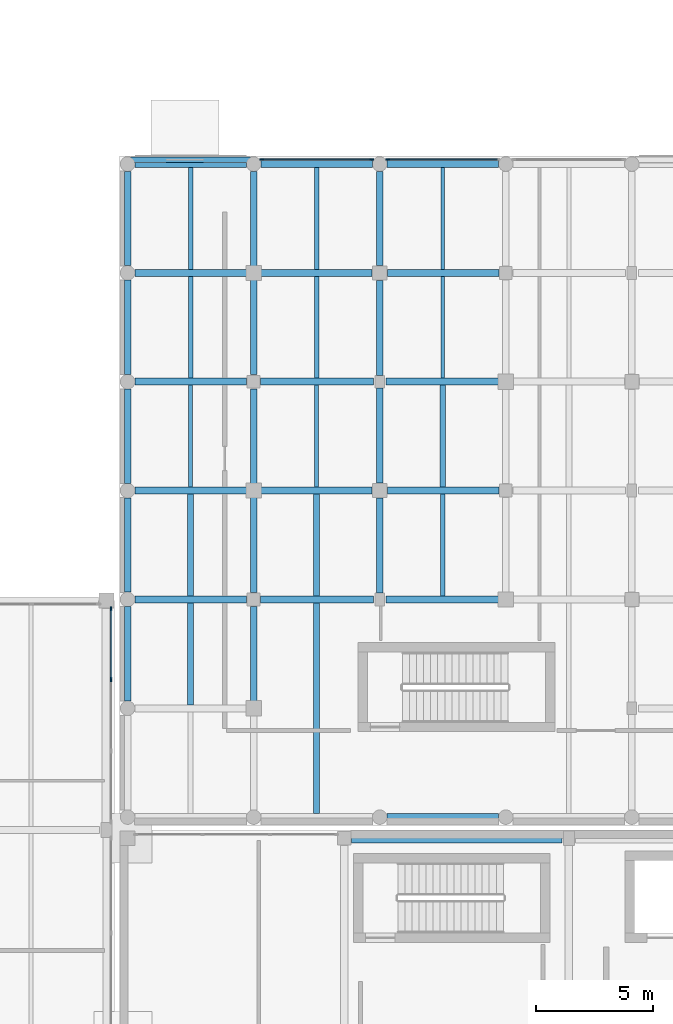
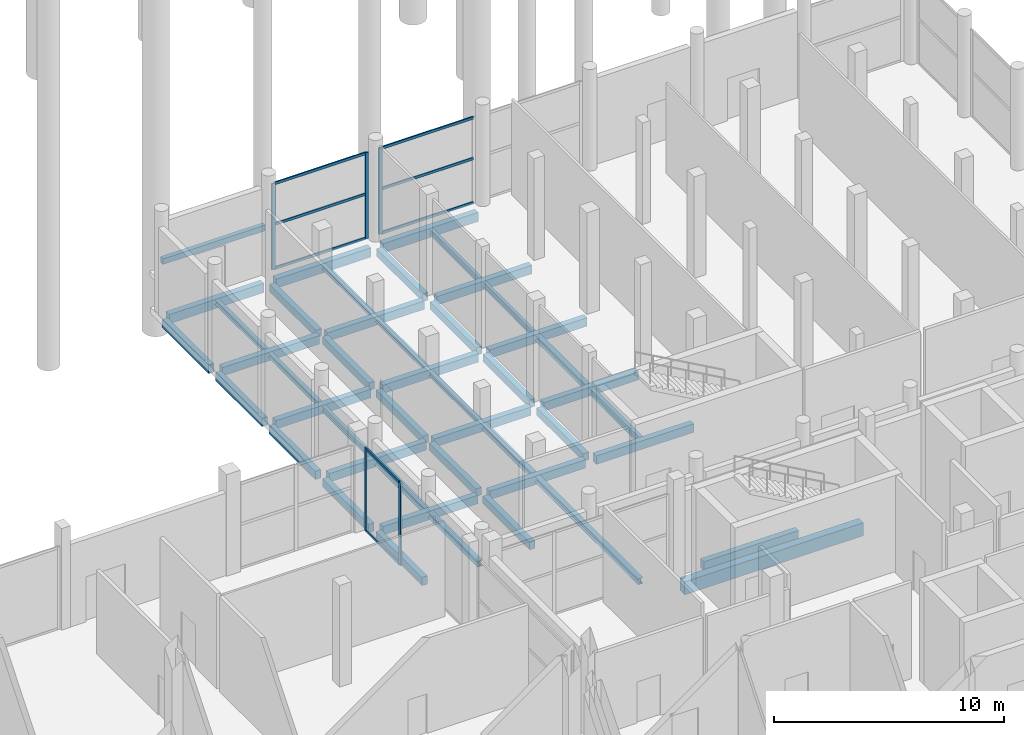
# One storey, part 24 of 88: 46 beams, 13 members, 3 elements without a shape of their own.
"""IFC4 building model written with IfcOpenShell, lengths in metres."""

import ifcopenshell
import ifcopenshell.guid

model = None  # the IFC model being written
_history = None  # IfcOwnerHistory: only IFC2X3 demands one
_inside = {}  # id of a spatial element -> (the spatial element, [elements in it])
_under = {}  # id of a project, library or spatial element -> (it, [spatial elements below it])
_declared = {}  # id of a project -> (the project, [libraries it declares])
_typed = {}  # id of a type object -> (the type object, [elements of that type])
_made_of = {}  # id of a material, layer set ... -> (it, [elements and type objects made of it])


def new_model(schema):
    """Start an empty IFC model of exactly this schema.

    Asked for "IFC4X3", IfcOpenShell would pick the latest addendum, in which some entities
    have other attributes; the version numbers below select the first issue.
    IFC2X3 requires an IfcOwnerHistory on every rooted entity: one is made here for all.
    """
    global model, _history
    if schema == "IFC4X3":
        model = ifcopenshell.file(schema_version=(4, 3, 0, 0))
    else:
        model = ifcopenshell.file(schema=schema)
    _inside.clear()
    _under.clear()
    _declared.clear()
    _typed.clear()
    _made_of.clear()
    _history = None
    if model.schema == "IFC2X3":
        org = make("IfcOrganization", Name="unknown")
        user = make(
            "IfcPersonAndOrganization",
            ThePerson=make("IfcPerson", FamilyName="unknown"),
            TheOrganization=org,
        )
        app = make(
            "IfcApplication",
            ApplicationDeveloper=org,
            Version="unknown",
            ApplicationFullName="unknown",
            ApplicationIdentifier="unknown",
        )
        _history = make(
            "IfcOwnerHistory",
            OwningUser=user,
            OwningApplication=app,
            ChangeAction="ADDED",
            CreationDate=0,
        )
    return model


def make(cls, **values):
    """One entity of the class cls with the attributes given. An attribute that is None is left unset."""
    return model.create_entity(
        cls, **{name: value for name, value in values.items() if value is not None}
    )


def rooted(cls, **values):
    """An entity with a GlobalId (a new one), such as an element, a storey or a relation."""
    return make(cls, GlobalId=ifcopenshell.guid.new(), OwnerHistory=_history, **values)


def si_unit(unit_type, name, prefix=None):
    """IfcSIUnit, for example si_unit("LENGTHUNIT", "METRE", prefix="MILLI")."""
    return make("IfcSIUnit", UnitType=unit_type, Prefix=prefix, Name=name)


def assignment(units):
    """IfcUnitAssignment: the units of a project."""
    return None if units is None else make("IfcUnitAssignment", Units=units)


def point(xyz):
    """IfcCartesianPoint."""
    return None if xyz is None else make("IfcCartesianPoint", Coordinates=xyz)


def direction(xyz):
    """IfcDirection."""
    return None if xyz is None else make("IfcDirection", DirectionRatios=xyz)


def frame(location, z_axis=None, x_axis=None):
    """IfcAxis2Placement3D, a coordinate frame: its origin and axes. An axis left out is left unset."""
    return make(
        "IfcAxis2Placement3D",
        Location=point(location),
        Axis=direction(z_axis),
        RefDirection=direction(x_axis),
    )


def frame_2d(location, x_axis=None):
    """IfcAxis2Placement2D, a coordinate frame in the plane: its origin and x axis."""
    return make(
        "IfcAxis2Placement2D", Location=point(location), RefDirection=direction(x_axis)
    )


def origin():
    """The frame at (0, 0, 0) with its axes left unset."""
    return frame((0.0, 0.0, 0.0))


def origin_2d():
    """The frame at (0, 0) in the plane with its x axis left unset."""
    return frame_2d((0.0, 0.0))


def place(relative_to, where):
    """IfcLocalPlacement: puts the frame where relative to a parent placement (None: the world)."""
    return make(
        "IfcLocalPlacement", PlacementRelTo=relative_to, RelativePlacement=where
    )


def context(
    kind, dimensions, precision=None, world=None, true_north=None, identifier=None
):
    """IfcGeometricRepresentationContext, for example the 3D "Model" context."""
    return make(
        "IfcGeometricRepresentationContext",
        ContextIdentifier=identifier,
        ContextType=kind,
        CoordinateSpaceDimension=dimensions,
        Precision=precision,
        WorldCoordinateSystem=world,
        TrueNorth=true_north,
    )


def subcontext(parent, identifier, kind, view, scale=None):
    """IfcGeometricRepresentationSubContext, for example "Body" below "Model"."""
    return make(
        "IfcGeometricRepresentationSubContext",
        ContextIdentifier=identifier,
        ContextType=kind,
        ParentContext=parent,
        TargetScale=scale,
        TargetView=view,
    )


def project(units=None, contexts=None):
    """IfcProject with its units and contexts."""
    return rooted(
        "IfcProject",
        Name="project",
        RepresentationContexts=contexts,
        UnitsInContext=assignment(units),
    )


def spatial(cls, under=None, at=None, **own):
    """A site, building, storey or space (cls), placed at a placement, below another one or the project."""
    s = rooted(cls, ObjectPlacement=at, **own)
    if under is not None:
        _under.setdefault(under.id(), (under, []))[1].append(s)
    return s


def profile(cls, at=None, kind="AREA", **sizes):
    """A parametric profile (cls). Its sizes go by their IFC names, for example OverallWidth=200.0."""
    return make(cls, ProfileType=kind, Position=at, **sizes)


def rectangle(**sizes):
    """IfcRectangleProfileDef."""
    return profile("IfcRectangleProfileDef", **sizes)


def i_section(**sizes):
    """IfcIShapeProfileDef."""
    return profile("IfcIShapeProfileDef", **sizes)


def extrude(swept, where, along, depth):
    """IfcExtrudedAreaSolid: the profile swept, set in the frame where, extruded along a direction by depth."""
    return make(
        "IfcExtrudedAreaSolid",
        SweptArea=swept,
        Position=where,
        ExtrudedDirection=direction(along),
        Depth=depth,
    )


def shape(context_of_items, identifier, shape_type, items):
    """IfcShapeRepresentation: the items that make up one representation, for example the "Body"."""
    return make(
        "IfcShapeRepresentation",
        ContextOfItems=context_of_items,
        RepresentationIdentifier=identifier,
        RepresentationType=shape_type,
        Items=items,
    )


def material(Name=None, Category=None):
    """IfcMaterial."""
    return make("IfcMaterial", Name=Name, Category=Category)


def layer(
    of_material, thickness, ventilated=None, Name=None, Category=None, Priority=None
):
    """IfcMaterialLayer: one layer of a wall or slab, of a material (None: an air gap)."""
    return make(
        "IfcMaterialLayer",
        Material=of_material,
        LayerThickness=thickness,
        IsVentilated=ventilated,
        Name=Name,
        Category=Category,
        Priority=Priority,
    )


def layer_set(layers, Name=None):
    """IfcMaterialLayerSet."""
    return make("IfcMaterialLayerSet", MaterialLayers=layers, LayerSetName=Name)


def material_profile(
    of_material, cross_section, Name=None, Category=None, Priority=None
):
    """IfcMaterialProfile: a cross section and its material."""
    return make(
        "IfcMaterialProfile",
        Name=Name,
        Material=of_material,
        Profile=cross_section,
        Priority=Priority,
        Category=Category,
    )


def profile_set(profiles, Name=None, composite=None):
    """IfcMaterialProfileSet."""
    return make(
        "IfcMaterialProfileSet",
        Name=Name,
        MaterialProfiles=profiles,
        CompositeProfile=composite,
    )


def made_of(thing, what):
    """Note that an element or type object is made of a material, layer set ...; save() writes the relation."""
    if what is not None:
        _made_of.setdefault(what.id(), (what, []))[1].append(thing)
    return thing


def type_object(cls, material=None, **own):
    """A type object (cls), such as IfcWallType, which elements share."""
    return made_of(rooted(cls, **own), material)


def element(
    cls,
    number,
    at=None,
    inside=None,
    cuts=None,
    type_object=None,
    material=None,
    context=None,
    identifier="Body",
    shape_type=None,
    held_by="IfcProductDefinitionShape",
    body=None,
    shapes=None,
    **own,
):
    """One element of the class cls, such as IfcWall. Its Tag is "e" and its number.

    at: its placement. inside: the storey or other place that contains it. cuts: it is an
    opening in that element (IfcRelVoidsElement). A single representation is given by context,
    identifier, shape_type and body (its items); several are given by shapes. held_by: the class
    of the entity that holds the representations. save() writes the other relations.
    """
    e = rooted(cls, Tag="e%d" % number, ObjectPlacement=at, **own)
    if body is not None:
        shapes = [shape(context, identifier, shape_type, body)]
    if shapes is not None:
        e.Representation = make(held_by, Representations=shapes)
    if inside is not None:
        _inside.setdefault(inside.id(), (inside, []))[1].append(e)
    if cuts is not None:
        rooted(
            "IfcRelVoidsElement", RelatingBuildingElement=cuts, RelatedOpeningElement=e
        )
    if type_object is not None:
        _typed.setdefault(type_object.id(), (type_object, []))[1].append(e)
    return made_of(e, material)


def aggregate(whole, parts):
    """IfcRelAggregates: a whole, such as a stair, and the parts it consists of."""
    return rooted("IfcRelAggregates", RelatingObject=whole, RelatedObjects=parts)


def save(model, path):
    """Write the relations noted so far, then the file.

    IfcRelAggregates (storeys below a building ...), IfcRelContainedInSpatialStructure (elements
    in a storey), IfcRelDefinesByType, IfcRelAssociatesMaterial and IfcRelDeclares: one each for
    every whole, place, type object, material and project.
    """
    for whole, parts in _under.values():
        aggregate(whole, parts)
    for where, things in _inside.values():
        rooted(
            "IfcRelContainedInSpatialStructure",
            RelatedElements=things,
            RelatingStructure=where,
        )
    for kind, things in _typed.values():
        rooted("IfcRelDefinesByType", RelatedObjects=things, RelatingType=kind)
    for what, things in _made_of.values():
        rooted("IfcRelAssociatesMaterial", RelatedObjects=things, RelatingMaterial=what)
    for by, libraries in _declared.values():
        rooted("IfcRelDeclares", RelatingContext=by, RelatedDefinitions=libraries)
    model.write(path)


model = new_model("IFC4")

# Units and contexts
model_context = context("Model", 3, precision=1e-05, world=origin(), true_north=direction((0.0, 1.0)))
body_context = subcontext(model_context, "Body", "Model", "MODEL_VIEW")
ifc_project = project(units=[si_unit("LENGTHUNIT", "METRE"), si_unit("AREAUNIT", "SQUARE_METRE"), si_unit("VOLUMEUNIT", "CUBIC_METRE"), si_unit("PLANEANGLEUNIT", "RADIAN"), si_unit("MASSUNIT", "GRAM", prefix="KILO")], contexts=[model_context])

# Site, building, storey
site_placement = place(None, origin())
site = spatial("IfcSite", under=ifc_project, at=site_placement, CompositionType="ELEMENT")
building_placement = place(site_placement, origin())
building = spatial("IfcBuilding", under=site, at=building_placement, Name="Birchvale Park Specialist Clinic", CompositionType="ELEMENT")
storey_placement = place(building_placement, origin())
storey = spatial("IfcBuildingStorey", under=building, at=storey_placement, Name="L00", CompositionType="ELEMENT", Elevation=0.0)

# Beams
ifc_material_1 = material(Name="Concrete C40/50", Category="concrete")
ifc_material_profile_1 = material_profile(ifc_material_1, rectangle(XDim=0.39990234375, YDim=0.68994140625, at=origin_2d()), Name="RCB-400x690")
ifc_profile_set_1 = profile_set([ifc_material_profile_1], Name="Concrete C40/50")
beam_type_1 = type_object("IfcBeamType", Name="BM-EXT-BG4", PredefinedType="BEAM", material=ifc_profile_set_1)
beam_1_placement = place(storey_placement, frame((61.715087890625, 34.25, -0.625), z_axis=(1.0, 0.0, 0.0), x_axis=(0.0, 1.0, 0.0)))
element("IfcBeam", 1, at=beam_1_placement, inside=storey, type_object=beam_type_1, Name="V4 L00 X girder 8", PredefinedType="BEAM", context=body_context, shape_type="SweptSolid", body=[
    extrude(rectangle(XDim=0.39990234375, YDim=0.68994140625, at=origin_2d()), origin(), (0.0, 0.0, 1.0), 8.994873046875),
])
ifc_material_profile_2 = material_profile(ifc_material_1, rectangle(XDim=0.300048828125, YDim=0.489990234375, at=origin_2d()), Name="RCB-300x490")
ifc_profile_set_2 = profile_set([ifc_material_profile_2], Name="Concrete C40/50")
beam_type_2 = type_object("IfcBeamType", Name="BM-EXT-BG8", PredefinedType="BEAM", material=ifc_profile_set_2)
for number, where, z_axis, x_axis, name in (
    (2, (63.2314453125, 35.14990234375, -0.56494140625), (1.0, 0.0, 0.0), (0.0, 1.0, 0.0), "V1 L00 X girder 3"),
    (3, (52.4599609375, 63.050048828125, -0.56494140625), (1.0, 0.0, 0.0), (0.0, 1.0, 0.0), "V1 L00 X girder 40"),
    (4, (57.845703125, 63.050048828125, -0.56494140625), (1.0, 0.0, 0.0), (0.0, 1.0, 0.0), "V1 L00 X girder 41"),
    (5, (63.2314453125, 63.050048828125, -0.56494140625), (1.0, 0.0, 0.0), (0.0, 1.0, 0.0), "V1 L00 X girder 42"),
):
    element("IfcBeam", number, at=place(storey_placement, frame(where, z_axis=z_axis, x_axis=x_axis)), inside=storey, type_object=beam_type_2, Name=name, PredefinedType="BEAM", context=body_context, shape_type="SweptSolid", body=[
        extrude(rectangle(XDim=0.300048828125, YDim=0.489990234375, at=origin_2d()), origin(), (0.0, 0.0, 1.0), 4.765625),
    ])
ifc_material_profile_3 = material_profile(ifc_material_1, rectangle(XDim=0.280029296875, YDim=0.43994140625, at=origin_2d()), Name="RCB-280x440")
ifc_profile_set_3 = profile_set([ifc_material_profile_3], Name="Concrete C40/50")
beam_type_3 = type_object("IfcBeamType", Name="BM-EXT-BG9", PredefinedType="BEAM", material=ifc_profile_set_3)
beam_2_placement = place(storey_placement, frame((52.14990234375, 40.110107421875, -0.5400390625), z_axis=(0.0, 1.0, 0.0), x_axis=(-1.0, 0.0, 0.0)))
element("IfcBeam", 6, at=beam_2_placement, inside=storey, type_object=beam_type_3, Name="V1 L00 Y girder 48", PredefinedType="BEAM", context=body_context, shape_type="SweptSolid", body=[
    extrude(rectangle(XDim=0.280029296875, YDim=0.43994140625, at=origin_2d()), origin(), (0.0, 0.0, 1.0), 4.02978515625),
])
for number, where, z_axis, x_axis, name in (
    (7, (52.14990234375, 44.760009765625, -0.5400390625), (0.0, 1.0, 0.0), (-1.0, 0.0, 0.0), "V1 L00 Y girder 49"),
    (8, (52.14990234375, 49.409912109375, -0.5400390625), (0.0, 1.0, 0.0), (-1.0, 0.0, 0.0), "V1 L00 Y girder 50"),
    (9, (52.14990234375, 54.06005859375, -0.5400390625), (0.0, 1.0, 0.0), (-1.0, 0.0, 0.0), "V1 L00 Y girder 51"),
    (10, (52.14990234375, 58.7099609375, -0.5400390625), (0.0, 1.0, 0.0), (-1.0, 0.0, 0.0), "V1 L00 Y girder 52"),
):
    element("IfcBeam", number, at=place(storey_placement, frame(where, z_axis=z_axis, x_axis=x_axis)), inside=storey, type_object=beam_type_3, Name=name, PredefinedType="BEAM", context=body_context, shape_type="SweptSolid", body=[
        extrude(rectangle(XDim=0.280029296875, YDim=0.43994140625, at=origin_2d()), origin(), (0.0, 0.0, 1.0), 4.030029296875),
    ])
ifc_material_profile_4 = material_profile(ifc_material_1, rectangle(XDim=0.300048828125, YDim=0.449951171875, at=origin_2d()), Name="RCB-300x450")
ifc_profile_set_4 = profile_set([ifc_material_profile_4], Name="Concrete C40/50")
beam_type_4 = type_object("IfcBeamType", Name="BM-INT-BG8", PredefinedType="BEAM", material=ifc_profile_set_4)
beam_3_placement = place(storey_placement, frame((52.4599609375, 44.449951171875, -0.544921875), z_axis=(1.0, 0.0, 0.0), x_axis=(0.0, 1.0, 0.0)))
element("IfcBeam", 11, at=beam_3_placement, inside=storey, type_object=beam_type_4, Name="V1 L00 X girder 12", PredefinedType="BEAM", context=body_context, shape_type="SweptSolid", body=[
    extrude(rectangle(XDim=0.300048828125, YDim=0.449951171875, at=origin_2d()), origin(), (0.0, 0.0, 1.0), 4.775634765625),
])
beam_4_placement = place(storey_placement, frame((57.835693359375, 44.449951171875, -0.544921875), z_axis=(1.0, 0.0, 0.0), x_axis=(0.0, 1.0, 0.0)))
element("IfcBeam", 12, at=beam_4_placement, inside=storey, type_object=beam_type_4, Name="V1 L00 X girder 13", PredefinedType="BEAM", context=body_context, shape_type="SweptSolid", body=[
    extrude(rectangle(XDim=0.300048828125, YDim=0.449951171875, at=origin_2d()), origin(), (0.0, 0.0, 1.0), 4.810791015625),
])
beam_5_placement = place(storey_placement, frame((63.1962890625, 44.449951171875, -0.544921875), z_axis=(1.0, 0.0, 0.0), x_axis=(0.0, 1.0, 0.0)))
element("IfcBeam", 13, at=beam_5_placement, inside=storey, type_object=beam_type_4, Name="V1 L00 X girder 14", PredefinedType="BEAM", context=body_context, shape_type="SweptSolid", body=[
    extrude(rectangle(XDim=0.300048828125, YDim=0.449951171875, at=origin_2d()), origin(), (0.0, 0.0, 1.0), 4.910888671875),
])
beam_6_placement = place(storey_placement, frame((52.4599609375, 49.10009765625, -0.544921875), z_axis=(1.0, 0.0, 0.0), x_axis=(0.0, 1.0, 0.0)))
element("IfcBeam", 14, at=beam_6_placement, inside=storey, type_object=beam_type_4, Name="V1 L00 X girder 19", PredefinedType="BEAM", context=body_context, shape_type="SweptSolid", body=[
    extrude(rectangle(XDim=0.300048828125, YDim=0.449951171875, at=origin_2d()), origin(), (0.0, 0.0, 1.0), 4.875732421875),
])
beam_7_placement = place(storey_placement, frame((57.735595703125, 49.10009765625, -0.544921875), z_axis=(1.0, 0.0, 0.0), x_axis=(0.0, 1.0, 0.0)))
element("IfcBeam", 15, at=beam_7_placement, inside=storey, type_object=beam_type_4, Name="V1 L00 X girder 20", PredefinedType="BEAM", context=body_context, shape_type="SweptSolid", body=[
    extrude(rectangle(XDim=0.300048828125, YDim=0.449951171875, at=origin_2d()), origin(), (0.0, 0.0, 1.0), 4.86083984375),
])
beam_8_placement = place(storey_placement, frame((63.246337890625, 49.10009765625, -0.544921875), z_axis=(1.0, 0.0, 0.0), x_axis=(0.0, 1.0, 0.0)))
element("IfcBeam", 16, at=beam_8_placement, inside=storey, type_object=beam_type_4, Name="V1 L00 X girder 21", PredefinedType="BEAM", context=body_context, shape_type="SweptSolid", body=[
    extrude(rectangle(XDim=0.300048828125, YDim=0.449951171875, at=origin_2d()), origin(), (0.0, 0.0, 1.0), 4.7607421875),
])
beam_9_placement = place(storey_placement, frame((52.4599609375, 53.75, -0.544921875), z_axis=(1.0, 0.0, 0.0), x_axis=(0.0, 1.0, 0.0)))
element("IfcBeam", 17, at=beam_9_placement, inside=storey, type_object=beam_type_4, Name="V1 L00 X girder 26", PredefinedType="BEAM", context=body_context, shape_type="SweptSolid", body=[
    extrude(rectangle(XDim=0.300048828125, YDim=0.449951171875, at=origin_2d()), origin(), (0.0, 0.0, 1.0), 4.775634765625),
])
beam_10_placement = place(storey_placement, frame((57.835693359375, 53.75, -0.544921875), z_axis=(1.0, 0.0, 0.0), x_axis=(0.0, 1.0, 0.0)))
element("IfcBeam", 18, at=beam_10_placement, inside=storey, type_object=beam_type_4, Name="V1 L00 X girder 27", PredefinedType="BEAM", context=body_context, shape_type="SweptSolid", body=[
    extrude(rectangle(XDim=0.300048828125, YDim=0.449951171875, at=origin_2d()), origin(), (0.0, 0.0, 1.0), 4.810791015625),
])
beam_11_placement = place(storey_placement, frame((63.1962890625, 53.75, -0.544921875), z_axis=(1.0, 0.0, 0.0), x_axis=(0.0, 1.0, 0.0)))
element("IfcBeam", 19, at=beam_11_placement, inside=storey, type_object=beam_type_4, Name="V1 L00 X girder 28", PredefinedType="BEAM", context=body_context, shape_type="SweptSolid", body=[
    extrude(rectangle(XDim=0.300048828125, YDim=0.449951171875, at=origin_2d()), origin(), (0.0, 0.0, 1.0), 4.910888671875),
])
beam_12_placement = place(storey_placement, frame((52.4599609375, 58.39990234375, -0.544921875), z_axis=(1.0, 0.0, 0.0), x_axis=(0.0, 1.0, 0.0)))
element("IfcBeam", 20, at=beam_12_placement, inside=storey, type_object=beam_type_4, Name="V1 L00 X girder 33", PredefinedType="BEAM", context=body_context, shape_type="SweptSolid", body=[
    extrude(rectangle(XDim=0.300048828125, YDim=0.449951171875, at=origin_2d()), origin(), (0.0, 0.0, 1.0), 4.875732421875),
])
beam_13_placement = place(storey_placement, frame((57.735595703125, 58.39990234375, -0.544921875), z_axis=(1.0, 0.0, 0.0), x_axis=(0.0, 1.0, 0.0)))
element("IfcBeam", 21, at=beam_13_placement, inside=storey, type_object=beam_type_4, Name="V1 L00 X girder 34", PredefinedType="BEAM", context=body_context, shape_type="SweptSolid", body=[
    extrude(rectangle(XDim=0.300048828125, YDim=0.449951171875, at=origin_2d()), origin(), (0.0, 0.0, 1.0), 4.86083984375),
])
beam_14_placement = place(storey_placement, frame((63.246337890625, 58.39990234375, -0.544921875), z_axis=(1.0, 0.0, 0.0), x_axis=(0.0, 1.0, 0.0)))
element("IfcBeam", 22, at=beam_14_placement, inside=storey, type_object=beam_type_4, Name="V1 L00 X girder 35", PredefinedType="BEAM", context=body_context, shape_type="SweptSolid", body=[
    extrude(rectangle(XDim=0.300048828125, YDim=0.449951171875, at=origin_2d()), origin(), (0.0, 0.0, 1.0), 4.7607421875),
])
ifc_material_profile_5 = material_profile(ifc_material_1, rectangle(XDim=0.280029296875, YDim=0.39990234375, at=origin_2d()), Name="RCB-280x400")
ifc_profile_set_5 = profile_set([ifc_material_profile_5], Name="Concrete C40/50")
beam_type_5 = type_object("IfcBeamType", Name="BM-INT-BG9", PredefinedType="BEAM", material=ifc_profile_set_5)
for number, where, z_axis, x_axis, name in (
    (23, (57.53564453125, 40.074951171875, -0.52001953125), (0.0, 1.0, 0.0), (-1.0, 0.0, 0.0), "V1 L00 Y girder 54"),
    (24, (57.53564453125, 44.75, -0.52001953125), (0.0, 1.0, 0.0), (-1.0, 0.0, 0.0), "V1 L00 Y girder 55"),
    (25, (57.53564453125, 49.375, -0.52001953125), (0.0, 1.0, 0.0), (-1.0, 0.0, 0.0), "V1 L00 Y girder 56"),
    (26, (57.53564453125, 54.050048828125, -0.52001953125), (0.0, 1.0, 0.0), (-1.0, 0.0, 0.0), "V1 L00 Y girder 57"),
):
    element("IfcBeam", number, at=place(storey_placement, frame(where, z_axis=z_axis, x_axis=x_axis)), inside=storey, type_object=beam_type_5, Name=name, PredefinedType="BEAM", context=body_context, shape_type="SweptSolid", body=[
        extrude(rectangle(XDim=0.280029296875, YDim=0.39990234375, at=origin_2d()), origin(), (0.0, 0.0, 1.0), 4.074951171875),
    ])
beam_15_placement = place(storey_placement, frame((57.53564453125, 58.675048828125, -0.52001953125), z_axis=(0.0, 1.0, 0.0), x_axis=(-1.0, 0.0, 0.0)))
element("IfcBeam", 27, at=beam_15_placement, inside=storey, type_object=beam_type_5, Name="V1 L00 Y girder 58", PredefinedType="BEAM", context=body_context, shape_type="SweptSolid", body=[
    extrude(rectangle(XDim=0.280029296875, YDim=0.39990234375, at=origin_2d()), origin(), (0.0, 0.0, 1.0), 4.06494140625),
])
beam_16_placement = place(storey_placement, frame((62.92138671875, 44.72509765625, -0.52001953125), z_axis=(0.0, 1.0, 0.0), x_axis=(-1.0, 0.0, 0.0)))
element("IfcBeam", 28, at=beam_16_placement, inside=storey, type_object=beam_type_5, Name="V1 L00 Y girder 59", PredefinedType="BEAM", context=body_context, shape_type="SweptSolid", body=[
    extrude(rectangle(XDim=0.280029296875, YDim=0.39990234375, at=origin_2d()), origin(), (0.0, 0.0, 1.0), 4.0498046875),
])
for number, where, z_axis, x_axis, name in (
    (29, (62.92138671875, 49.425048828125, -0.52001953125), (0.0, 1.0, 0.0), (-1.0, 0.0, 0.0), "V1 L00 Y girder 60"),
    (30, (62.92138671875, 54.02490234375, -0.52001953125), (0.0, 1.0, 0.0), (-1.0, 0.0, 0.0), "V1 L00 Y girder 61"),
):
    element("IfcBeam", number, at=place(storey_placement, frame(where, z_axis=z_axis, x_axis=x_axis)), inside=storey, type_object=beam_type_5, Name=name, PredefinedType="BEAM", context=body_context, shape_type="SweptSolid", body=[
        extrude(rectangle(XDim=0.280029296875, YDim=0.39990234375, at=origin_2d()), origin(), (0.0, 0.0, 1.0), 4.050048828125),
    ])
beam_17_placement = place(storey_placement, frame((62.92138671875, 58.72509765625, -0.52001953125), z_axis=(0.0, 1.0, 0.0), x_axis=(-1.0, 0.0, 0.0)))
element("IfcBeam", 31, at=beam_17_placement, inside=storey, type_object=beam_type_5, Name="V1 L00 Y girder 62", PredefinedType="BEAM", context=body_context, shape_type="SweptSolid", body=[
    extrude(rectangle(XDim=0.280029296875, YDim=0.39990234375, at=origin_2d()), origin(), (0.0, 0.0, 1.0), 4.014892578125),
])

# Curtain wall, member
ifc_material_2 = material(Name="Thermally broken anodised aluminium", Category="aluminium")
ifc_layer = layer(ifc_material_2, 0.195068359375)
ifc_layer_set = layer_set([ifc_layer], Name="Thermally broken anodised aluminium")
curtain_wall_type = type_object("IfcCurtainWallType", Name="CW-U2", PredefinedType="USERDEFINED", material=ifc_layer_set)
curtain_wall_1_placement = place(storey_placement, origin())
curtain_wall_1 = element("IfcCurtainWall", 32, at=curtain_wall_1_placement, inside=storey, type_object=curtain_wall_type, Name="V1 L00 glazed curtain wall 8", ObjectType="UNITISED", PredefinedType="USERDEFINED")
ifc_material_profile_6 = material_profile(ifc_material_2, rectangle(XDim=0.06494140625, YDim=0.179931640625, at=origin_2d()), Name="CWM-65x180")
ifc_profile_set_6 = profile_set([ifc_material_profile_6], Name="Thermally broken anodised aluminium")
member_type_1 = type_object("IfcMemberType", Name="CWM2", PredefinedType="MULLION", material=ifc_profile_set_6)
member_1_placement = place(storey_placement, frame((63.263916015625, 63.235107421875, 0.0), z_axis=(0.0, 0.0, 1.0), x_axis=(0.0, -1.0, 0.0)))
member_1 = element("IfcMember", 33, at=member_1_placement, type_object=member_type_1, Name="CW mullion 2", PredefinedType="MULLION", context=body_context, shape_type="SweptSolid", body=[
    extrude(rectangle(XDim=0.06494140625, YDim=0.179931640625, at=origin_2d()), origin(), (0.0, 0.0, 1.0), 4.574951171875),
])

# Curtain wall, members
curtain_wall_2_placement = place(storey_placement, origin())
curtain_wall_2 = element("IfcCurtainWall", 34, at=curtain_wall_2_placement, inside=storey, type_object=curtain_wall_type, Name="V1 L00 glazed curtain wall 9", ObjectType="UNITISED", PredefinedType="USERDEFINED")
member_2_placement = place(storey_placement, frame((62.578857421875, 63.235107421875, 0.0), z_axis=(0.0, 0.0, 1.0), x_axis=(0.0, -1.0, 0.0)))
member_2 = element("IfcMember", 35, at=member_2_placement, type_object=member_type_1, Name="CW mullion 1", PredefinedType="MULLION", context=body_context, shape_type="SweptSolid", body=[
    extrude(rectangle(XDim=0.06494140625, YDim=0.179931640625, at=origin_2d()), origin(), (0.0, 0.0, 1.0), 4.574951171875),
])
member_3_placement = place(storey_placement, frame((57.878173828125, 63.235107421875, 0.0), z_axis=(0.0, 0.0, 1.0), x_axis=(0.0, -1.0, 0.0)))
member_3 = element("IfcMember", 36, at=member_3_placement, type_object=member_type_1, Name="CW mullion 2", PredefinedType="MULLION", context=body_context, shape_type="SweptSolid", body=[
    extrude(rectangle(XDim=0.06494140625, YDim=0.179931640625, at=origin_2d()), origin(), (0.0, 0.0, 1.0), 4.574951171875),
])

curtain_wall_3_placement = place(storey_placement, origin())
curtain_wall_3 = element("IfcCurtainWall", 37, at=curtain_wall_3_placement, inside=storey, type_object=curtain_wall_type, Name="V2 L00 glazed curtain wall 13", ObjectType="UNITISED", PredefinedType="USERDEFINED")
member_4_placement = place(storey_placement, frame((51.445068359375, 41.0283203125, 0.0), z_axis=(0.0, 0.0, 1.0), x_axis=(-1.0, 0.0, 0.0)))
member_4 = element("IfcMember", 38, at=member_4_placement, type_object=member_type_1, Name="CW mullion 3", PredefinedType="MULLION", context=body_context, shape_type="SweptSolid", body=[
    extrude(rectangle(XDim=0.06494140625, YDim=0.179931640625, at=origin_2d()), origin(), (0.0, 0.0, 1.0), 4.39501953125),
])
member_5_placement = place(storey_placement, frame((51.445068359375, 44.052490234375, 0.0), z_axis=(0.0, 0.0, 1.0), x_axis=(-1.0, 0.0, 0.0)))
member_5 = element("IfcMember", 39, at=member_5_placement, type_object=member_type_1, Name="CW mullion 4", PredefinedType="MULLION", context=body_context, shape_type="SweptSolid", body=[
    extrude(rectangle(XDim=0.06494140625, YDim=0.179931640625, at=origin_2d()), origin(), (0.0, 0.0, 1.0), 4.39501953125),
])

# Member
ifc_material_profile_7 = material_profile(ifc_material_2, rectangle(XDim=0.06494140625, YDim=0.139892578125, at=origin_2d()), Name="CWT-65x140")
ifc_profile_set_7 = profile_set([ifc_material_profile_7], Name="Thermally broken anodised aluminium")
member_type_2 = type_object("IfcMemberType", Name="CWT2", PredefinedType="USERDEFINED", material=ifc_profile_set_7)
member_6_placement = place(storey_placement, frame((67.93212890625, 63.235107421875, 0.032470703125), z_axis=(-1.0, 0.0, 0.0), x_axis=(0.0, -1.0, 0.0)))
member_6 = element("IfcMember", 40, at=member_6_placement, type_object=member_type_2, Name="CW transom 1.1", ObjectType="TRANSOM", PredefinedType="USERDEFINED", context=body_context, shape_type="SweptSolid", body=[
    extrude(rectangle(XDim=0.06494140625, YDim=0.139892578125, at=origin_2d()), origin(), (0.0, 0.0, 1.0), 4.6357421875),
])

member_7_placement = place(storey_placement, frame((67.93212890625, 63.235107421875, 2.37890625), z_axis=(-1.0, 0.0, 0.0), x_axis=(0.0, -1.0, 0.0)))
member_7 = element("IfcMember", 41, at=member_7_placement, type_object=member_type_2, Name="CW transom 1.2", ObjectType="TRANSOM", PredefinedType="USERDEFINED", context=body_context, shape_type="SweptSolid", body=[
    extrude(rectangle(XDim=0.06494140625, YDim=0.139892578125, at=origin_2d()), origin(), (0.0, 0.0, 1.0), 4.6357421875),
])

member_8_placement = place(storey_placement, frame((67.93212890625, 63.235107421875, 4.54248046875), z_axis=(-1.0, 0.0, 0.0), x_axis=(0.0, -1.0, 0.0)))
member_8 = element("IfcMember", 42, at=member_8_placement, type_object=member_type_2, Name="CW transom 1.3", ObjectType="TRANSOM", PredefinedType="USERDEFINED", context=body_context, shape_type="SweptSolid", body=[
    extrude(rectangle(XDim=0.06494140625, YDim=0.139892578125, at=origin_2d()), origin(), (0.0, 0.0, 1.0), 4.6357421875),
])

aggregate(curtain_wall_1, [member_1, member_6, member_7, member_8])

member_9_placement = place(storey_placement, frame((62.54638671875, 63.235107421875, 0.032470703125), z_axis=(-1.0, 0.0, 0.0), x_axis=(0.0, -1.0, 0.0)))
member_9 = element("IfcMember", 43, at=member_9_placement, type_object=member_type_2, Name="CW transom 1.1", ObjectType="TRANSOM", PredefinedType="USERDEFINED", context=body_context, shape_type="SweptSolid", body=[
    extrude(rectangle(XDim=0.06494140625, YDim=0.139892578125, at=origin_2d()), origin(), (0.0, 0.0, 1.0), 4.6357421875),
])

member_10_placement = place(storey_placement, frame((62.54638671875, 63.235107421875, 2.37890625), z_axis=(-1.0, 0.0, 0.0), x_axis=(0.0, -1.0, 0.0)))
member_10 = element("IfcMember", 44, at=member_10_placement, type_object=member_type_2, Name="CW transom 1.2", ObjectType="TRANSOM", PredefinedType="USERDEFINED", context=body_context, shape_type="SweptSolid", body=[
    extrude(rectangle(XDim=0.06494140625, YDim=0.139892578125, at=origin_2d()), origin(), (0.0, 0.0, 1.0), 4.6357421875),
])

member_11_placement = place(storey_placement, frame((62.54638671875, 63.235107421875, 4.54248046875), z_axis=(-1.0, 0.0, 0.0), x_axis=(0.0, -1.0, 0.0)))
member_11 = element("IfcMember", 45, at=member_11_placement, type_object=member_type_2, Name="CW transom 1.3", ObjectType="TRANSOM", PredefinedType="USERDEFINED", context=body_context, shape_type="SweptSolid", body=[
    extrude(rectangle(XDim=0.06494140625, YDim=0.139892578125, at=origin_2d()), origin(), (0.0, 0.0, 1.0), 4.6357421875),
])

aggregate(curtain_wall_2, [member_2, member_3, member_9, member_10, member_11])

member_12_placement = place(storey_placement, frame((51.445068359375, 41.060791015625, 0.032470703125), z_axis=(0.0, 1.0, 0.0), x_axis=(-1.0, 0.0, 0.0)))
member_12 = element("IfcMember", 46, at=member_12_placement, type_object=member_type_2, Name="CW transom 3.1", ObjectType="TRANSOM", PredefinedType="USERDEFINED", context=body_context, shape_type="SweptSolid", body=[
    extrude(rectangle(XDim=0.06494140625, YDim=0.139892578125, at=origin_2d()), origin(), (0.0, 0.0, 1.0), 2.959228515625),
])

member_13_placement = place(storey_placement, frame((51.445068359375, 41.060791015625, 4.362548828125), z_axis=(0.0, 1.0, 0.0), x_axis=(-1.0, 0.0, 0.0)))
member_13 = element("IfcMember", 47, at=member_13_placement, type_object=member_type_2, Name="CW transom 3.2", ObjectType="TRANSOM", PredefinedType="USERDEFINED", context=body_context, shape_type="SweptSolid", body=[
    extrude(rectangle(XDim=0.06494140625, YDim=0.139892578125, at=origin_2d()), origin(), (0.0, 0.0, 1.0), 2.959228515625),
])

aggregate(curtain_wall_3, [member_4, member_5, member_12, member_13])

# Beams
ifc_material_profile_8 = material_profile(ifc_material_1, rectangle(XDim=0.219970703125, YDim=0.300048828125, at=origin_2d()), Name="LNT-220x300")
ifc_profile_set_8 = profile_set([ifc_material_profile_8], Name="Concrete C40/50")
beam_type_6 = type_object("IfcBeamType", Name="LNT-EXT-LN2", PredefinedType="LINTEL", material=ifc_profile_set_8)
beam_18_placement = place(storey_placement, frame((57.41064453125, 63.235107421875, 2.419921875), z_axis=(-1.0, 0.0, 0.0), x_axis=(0.0, -1.0, 0.0)))
element("IfcBeam", 48, at=beam_18_placement, inside=storey, type_object=beam_type_6, Name="V1 L00 exit opening lintel 4", PredefinedType="LINTEL", context=body_context, shape_type="SweptSolid", body=[
    extrude(rectangle(XDim=0.219970703125, YDim=0.300048828125, at=origin_2d()), origin(), (0.0, 0.0, 1.0), 5.1357421875),
])
ifc_material_3 = material(Name="Steel ASTM A992 Grade 50", Category="steel")
ifc_material_profile_9 = material_profile(ifc_material_3, i_section(OverallWidth=0.2041015625, OverallDepth=0.35107421875, WebThickness=0.008544921875, FlangeThickness=0.01513671875, at=origin_2d()), Name="W14X48")
ifc_profile_set_9 = profile_set([ifc_material_profile_9], Name="Steel ASTM A992 Grade 50")
beam_type_7 = type_object("IfcBeamType", Name="STL-INT-SJ1", PredefinedType="JOIST", material=ifc_profile_set_9)
beam_19_placement = place(storey_placement, frame((65.6142578125, 44.60009765625, -0.49560546875), z_axis=(0.0, 1.0, 0.0), x_axis=(-1.0, 0.0, 0.0)))
element("IfcBeam", 49, at=beam_19_placement, inside=storey, type_object=beam_type_7, Name="V1 L00 secondary floor joist 12", PredefinedType="JOIST", context=body_context, shape_type="SweptSolid", body=[
    extrude(i_section(OverallWidth=0.2041015625, OverallDepth=0.35107421875, WebThickness=0.008544921875, FlangeThickness=0.01513671875, at=origin_2d()), origin(), (0.0, 0.0, 1.0), 4.349853515625),
])
ifc_material_profile_10 = material_profile(ifc_material_3, i_section(OverallWidth=0.25390625, OverallDepth=0.305908203125, WebThickness=0.0087890625, FlangeThickness=0.0146484375, at=origin_2d()), Name="W12X53")
ifc_profile_set_10 = profile_set([ifc_material_profile_10], Name="Steel ASTM A992 Grade 50")
beam_type_8 = type_object("IfcBeamType", Name="STL-INT-SJ2", PredefinedType="JOIST", material=ifc_profile_set_10)
beam_20_placement = place(storey_placement, frame((54.8427734375, 39.949951171875, -0.472900390625), z_axis=(0.0, 1.0, 0.0), x_axis=(-1.0, 0.0, 0.0)))
element("IfcBeam", 50, at=beam_20_placement, inside=storey, type_object=beam_type_8, Name="V1 L00 secondary floor joist 2", PredefinedType="JOIST", context=body_context, shape_type="SweptSolid", body=[
    extrude(i_section(OverallWidth=0.25390625, OverallDepth=0.305908203125, WebThickness=0.0087890625, FlangeThickness=0.0146484375, at=origin_2d()), origin(), (0.0, 0.0, 1.0), 4.35009765625),
])
beam_21_placement = place(storey_placement, frame((54.8427734375, 44.60009765625, -0.472900390625), z_axis=(0.0, 1.0, 0.0), x_axis=(-1.0, 0.0, 0.0)))
element("IfcBeam", 51, at=beam_21_placement, inside=storey, type_object=beam_type_8, Name="V1 L00 secondary floor joist 3", PredefinedType="JOIST", context=body_context, shape_type="SweptSolid", body=[
    extrude(i_section(OverallWidth=0.25390625, OverallDepth=0.305908203125, WebThickness=0.0087890625, FlangeThickness=0.0146484375, at=origin_2d()), origin(), (0.0, 0.0, 1.0), 4.349853515625),
])
beam_22_placement = place(storey_placement, frame((60.228515625, 35.300048828125, -0.472900390625), z_axis=(0.0, 1.0, 0.0), x_axis=(-1.0, 0.0, 0.0)))
element("IfcBeam", 52, at=beam_22_placement, inside=storey, type_object=beam_type_8, Name="V1 L00 secondary floor joist 7", PredefinedType="JOIST", context=body_context, shape_type="SweptSolid", body=[
    extrude(i_section(OverallWidth=0.25390625, OverallDepth=0.305908203125, WebThickness=0.0087890625, FlangeThickness=0.0146484375, at=origin_2d()), origin(), (0.0, 0.0, 1.0), 9.0),
])
beam_23_placement = place(storey_placement, frame((60.228515625, 44.60009765625, -0.472900390625), z_axis=(0.0, 1.0, 0.0), x_axis=(-1.0, 0.0, 0.0)))
element("IfcBeam", 53, at=beam_23_placement, inside=storey, type_object=beam_type_8, Name="V1 L00 secondary floor joist 8", PredefinedType="JOIST", context=body_context, shape_type="SweptSolid", body=[
    extrude(i_section(OverallWidth=0.25390625, OverallDepth=0.305908203125, WebThickness=0.0087890625, FlangeThickness=0.0146484375, at=origin_2d()), origin(), (0.0, 0.0, 1.0), 4.349853515625),
])
beam_24_placement = place(storey_placement, frame((65.6142578125, 49.25, -0.472900390625), z_axis=(0.0, 1.0, 0.0), x_axis=(-1.0, 0.0, 0.0)))
element("IfcBeam", 54, at=beam_24_placement, inside=storey, type_object=beam_type_8, Name="V1 L00 secondary floor joist 13", PredefinedType="JOIST", context=body_context, shape_type="SweptSolid", body=[
    extrude(i_section(OverallWidth=0.25390625, OverallDepth=0.305908203125, WebThickness=0.0087890625, FlangeThickness=0.0146484375, at=origin_2d()), origin(), (0.0, 0.0, 1.0), 4.35009765625),
])
ifc_material_profile_11 = material_profile(ifc_material_3, i_section(OverallWidth=0.1669921875, OverallDepth=0.31689453125, WebThickness=0.007568359375, FlangeThickness=0.01318359375, at=origin_2d()), Name="W12X35")
ifc_profile_set_11 = profile_set([ifc_material_profile_11], Name="Steel ASTM A992 Grade 50")
beam_type_9 = type_object("IfcBeamType", Name="STL-INT-SJ3", PredefinedType="JOIST", material=ifc_profile_set_11)
for number, where, z_axis, x_axis, name in (
    (55, (54.8427734375, 49.25, -0.478515625), (0.0, 1.0, 0.0), (-1.0, 0.0, 0.0), "V1 L00 secondary floor joist 4"),
    (56, (60.228515625, 49.25, -0.478515625), (0.0, 1.0, 0.0), (-1.0, 0.0, 0.0), "V1 L00 secondary floor joist 9"),
    (57, (65.6142578125, 53.89990234375, -0.478515625), (0.0, 1.0, 0.0), (-1.0, 0.0, 0.0), "V1 L00 secondary floor joist 14"),
):
    element("IfcBeam", number, at=place(storey_placement, frame(where, z_axis=z_axis, x_axis=x_axis)), inside=storey, type_object=beam_type_9, Name=name, PredefinedType="JOIST", context=body_context, shape_type="SweptSolid", body=[
        extrude(i_section(OverallWidth=0.1669921875, OverallDepth=0.31689453125, WebThickness=0.007568359375, FlangeThickness=0.01318359375, at=origin_2d()), origin(), (0.0, 0.0, 1.0), 4.35009765625),
    ])
beam_25_placement = place(storey_placement, frame((65.6142578125, 58.550048828125, -0.478515625), z_axis=(0.0, 1.0, 0.0), x_axis=(-1.0, 0.0, 0.0)))
element("IfcBeam", 58, at=beam_25_placement, inside=storey, type_object=beam_type_9, Name="V1 L00 secondary floor joist 15", PredefinedType="JOIST", context=body_context, shape_type="SweptSolid", body=[
    extrude(i_section(OverallWidth=0.1669921875, OverallDepth=0.31689453125, WebThickness=0.007568359375, FlangeThickness=0.01318359375, at=origin_2d()), origin(), (0.0, 0.0, 1.0), 4.349853515625),
])
ifc_material_profile_12 = material_profile(ifc_material_3, i_section(OverallWidth=0.202880859375, OverallDepth=0.251953125, WebThickness=0.008056640625, FlangeThickness=0.013427734375, at=origin_2d()), Name="W10X39")
ifc_profile_set_12 = profile_set([ifc_material_profile_12], Name="Steel ASTM A992 Grade 50")
beam_type_10 = type_object("IfcBeamType", Name="STL-INT-SJ4", PredefinedType="JOIST", material=ifc_profile_set_12)
beam_26_placement = place(storey_placement, frame((54.8427734375, 53.89990234375, -0.446044921875), z_axis=(0.0, 1.0, 0.0), x_axis=(-1.0, 0.0, 0.0)))
element("IfcBeam", 59, at=beam_26_placement, inside=storey, type_object=beam_type_10, Name="V1 L00 secondary floor joist 5", PredefinedType="JOIST", context=body_context, shape_type="SweptSolid", body=[
    extrude(i_section(OverallWidth=0.202880859375, OverallDepth=0.251953125, WebThickness=0.008056640625, FlangeThickness=0.013427734375, at=origin_2d()), origin(), (0.0, 0.0, 1.0), 4.35009765625),
])
beam_27_placement = place(storey_placement, frame((54.8427734375, 58.550048828125, -0.446044921875), z_axis=(0.0, 1.0, 0.0), x_axis=(-1.0, 0.0, 0.0)))
element("IfcBeam", 60, at=beam_27_placement, inside=storey, type_object=beam_type_10, Name="V1 L00 secondary floor joist 6", PredefinedType="JOIST", context=body_context, shape_type="SweptSolid", body=[
    extrude(i_section(OverallWidth=0.202880859375, OverallDepth=0.251953125, WebThickness=0.008056640625, FlangeThickness=0.013427734375, at=origin_2d()), origin(), (0.0, 0.0, 1.0), 4.349853515625),
])
beam_28_placement = place(storey_placement, frame((60.228515625, 53.89990234375, -0.446044921875), z_axis=(0.0, 1.0, 0.0), x_axis=(-1.0, 0.0, 0.0)))
element("IfcBeam", 61, at=beam_28_placement, inside=storey, type_object=beam_type_10, Name="V1 L00 secondary floor joist 10", PredefinedType="JOIST", context=body_context, shape_type="SweptSolid", body=[
    extrude(i_section(OverallWidth=0.202880859375, OverallDepth=0.251953125, WebThickness=0.008056640625, FlangeThickness=0.013427734375, at=origin_2d()), origin(), (0.0, 0.0, 1.0), 4.35009765625),
])
beam_29_placement = place(storey_placement, frame((60.228515625, 58.550048828125, -0.446044921875), z_axis=(0.0, 1.0, 0.0), x_axis=(-1.0, 0.0, 0.0)))
element("IfcBeam", 62, at=beam_29_placement, inside=storey, type_object=beam_type_10, Name="V1 L00 secondary floor joist 11", PredefinedType="JOIST", context=body_context, shape_type="SweptSolid", body=[
    extrude(i_section(OverallWidth=0.202880859375, OverallDepth=0.251953125, WebThickness=0.008056640625, FlangeThickness=0.013427734375, at=origin_2d()), origin(), (0.0, 0.0, 1.0), 4.349853515625),
])

save(model, "model.ifc")
